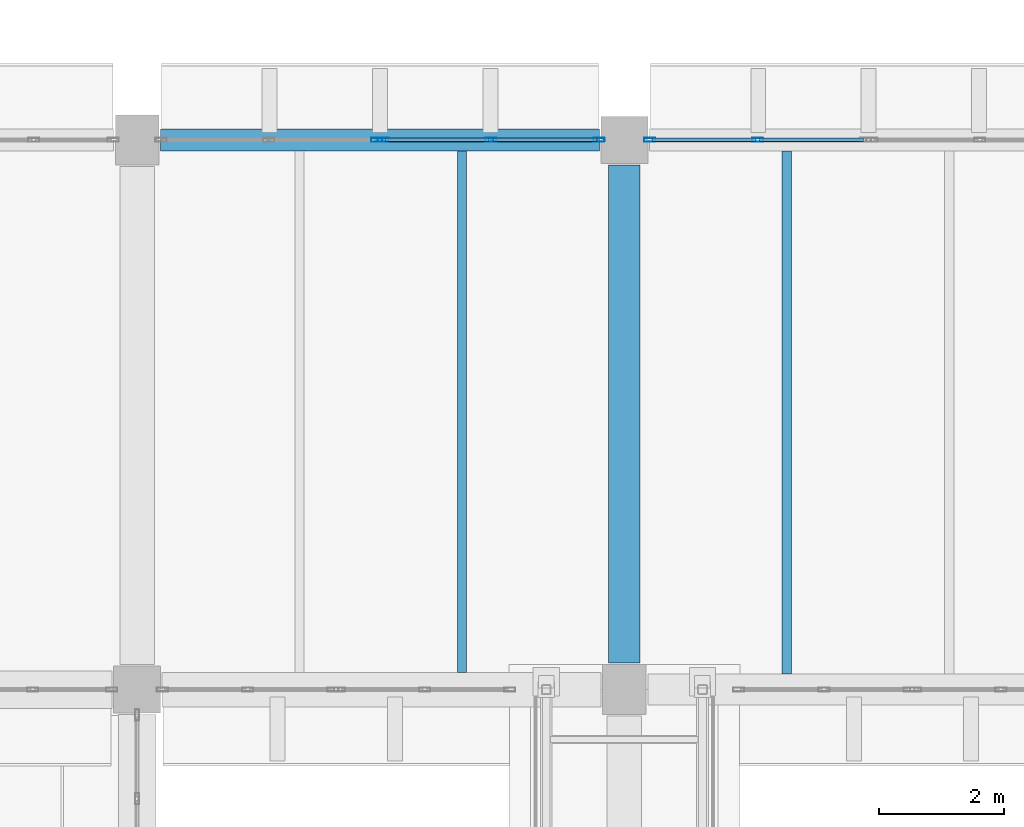
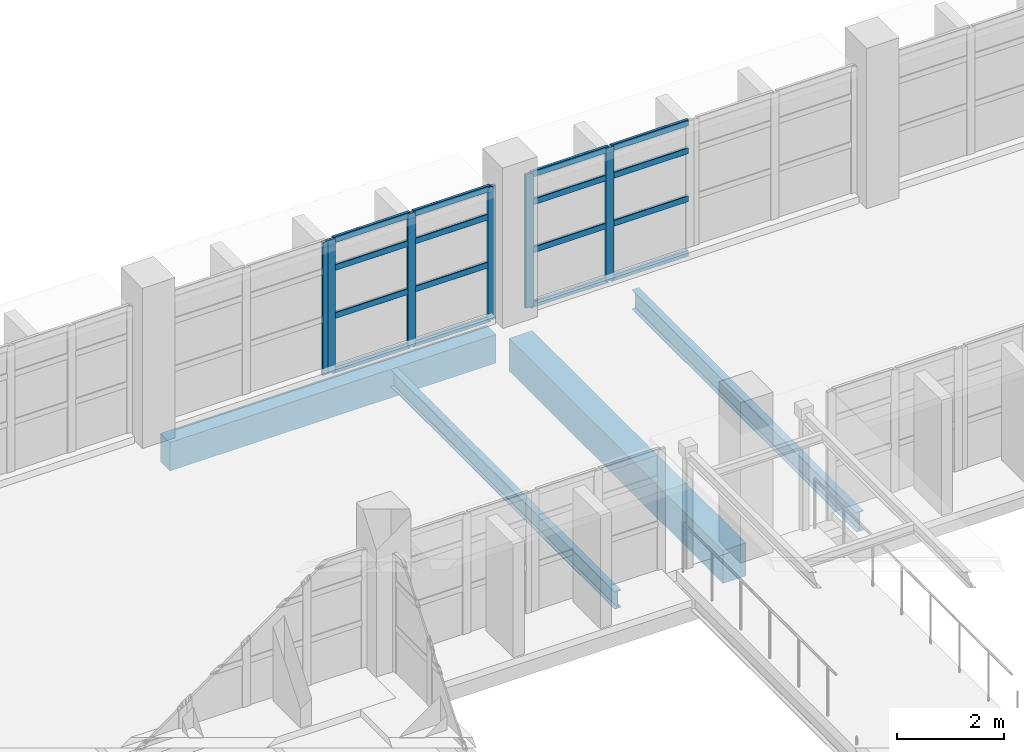
# One storey, part 26 of 80: 22 members, 4 beams, 3 elements without a shape of their own.
"""IFC4 building model written with IfcOpenShell, lengths in metres."""

from ifc_helpers import new_model, si_unit, direction, frame, origin, origin_2d, place, context, subcontext, project, spatial, rectangle, hollow_rectangle, i_section, extrude, material, material_profile, profile_set, type_object, element, aggregate, save


model = new_model("IFC4")

# Units and contexts
model_context = context("Model", 3, precision=1e-05, world=origin(), true_north=direction((0.0, 1.0)))
body_context = subcontext(model_context, "Body", "Model", "MODEL_VIEW")
ifc_project = project(units=[si_unit("LENGTHUNIT", "METRE"), si_unit("AREAUNIT", "SQUARE_METRE"), si_unit("VOLUMEUNIT", "CUBIC_METRE"), si_unit("PLANEANGLEUNIT", "RADIAN"), si_unit("MASSUNIT", "GRAM", prefix="KILO")], contexts=[model_context])

# Site, building, storey
site_placement = place(None, origin())
site = spatial("IfcSite", under=ifc_project, at=site_placement, CompositionType="ELEMENT")
building_placement = place(site_placement, origin())
building = spatial("IfcBuilding", under=site, at=building_placement, Name="Varnakota Cinema and Media Centre", CompositionType="ELEMENT")
storey_placement = place(building_placement, frame((0.0, 0.0, 4.5)))
storey = spatial("IfcBuildingStorey", under=building, at=storey_placement, Name="L01", CompositionType="ELEMENT", Elevation=4.5)

# Beams
ifc_material_1 = material(Name="Concrete M35", Category="concrete")
ifc_material_profile_1 = material_profile(ifc_material_1, rectangle(XDim=0.5, YDim=0.75, at=origin_2d()), Name="RCB 500x750")
ifc_profile_set_1 = profile_set([ifc_material_profile_1], Name="Concrete M35")
beam_type_1 = type_object("IfcBeamType", Name="BM-RC-500x750", PredefinedType="BEAM", material=ifc_profile_set_1)
beam_1_placement = place(storey_placement, frame((59.39990234375, 35.625, -0.625), z_axis=(0.0, 1.0, 0.0), x_axis=(-1.0, 0.0, 0.0)))
element("IfcBeam", 1, at=beam_1_placement, inside=storey, type_object=beam_type_1, Name="L01 girder H/5-6", PredefinedType="BEAM", context=body_context, shape_type="SweptSolid", body=[
    extrude(rectangle(XDim=0.5, YDim=0.75, at=origin_2d()), origin(), (0.0, 0.0, 1.0), 7.97509765625),
])
ifc_material_2 = material(Name="Concrete M40", Category="concrete")
ifc_material_profile_2 = material_profile(ifc_material_2, rectangle(XDim=0.35009765625, YDim=0.64990234375, at=origin_2d()), Name="RCB 350x650")
ifc_profile_set_2 = profile_set([ifc_material_profile_2], Name="Concrete M40")
beam_type_2 = type_object("IfcBeamType", Name="BM-SP-350x650", PredefinedType="SPANDREL", material=ifc_profile_set_2)
beam_2_placement = place(storey_placement, frame((51.97509765625, 44.0, -0.574951171875), z_axis=(1.0, 0.0, 0.0), x_axis=(0.0, 1.0, 0.0)))
element("IfcBeam", 2, at=beam_2_placement, inside=storey, type_object=beam_type_2, Name="L01 girder G-H/6", PredefinedType="SPANDREL", context=body_context, shape_type="SweptSolid", body=[
    extrude(rectangle(XDim=0.35009765625, YDim=0.64990234375, at=origin_2d()), origin(), (0.0, 0.0, 1.0), 7.02490234375),
])
ifc_material_3 = material(Name="Structural steel Grade 350 (E350)", Category="steel")
ifc_material_profile_3 = material_profile(ifc_material_3, i_section(OverallWidth=0.139892578125, OverallDepth=0.39990234375, WebThickness=0.0087890625, FlangeThickness=0.01611328125, FilletRadius=0.013916015625, at=origin_2d()), Name="ISMB 400")
ifc_profile_set_3 = profile_set([ifc_material_profile_3], Name="Structural steel Grade 350 (E350)")
beam_type_3 = type_object("IfcBeamType", Name="BM-ST-ISMB400", PredefinedType="JOIST", material=ifc_profile_set_3)
beam_3_placement = place(storey_placement, frame((56.800048828125, 35.47509765625, -0.449951171875), z_axis=(0.0, 1.0, 0.0), x_axis=(-1.0, 0.0, 0.0)))
element("IfcBeam", 3, at=beam_3_placement, inside=storey, type_object=beam_type_3, Name="L01 steel joist G-H/5-6 #2", PredefinedType="JOIST", context=body_context, shape_type="SweptSolid", body=[
    extrude(i_section(OverallWidth=0.139892578125, OverallDepth=0.39990234375, WebThickness=0.0087890625, FlangeThickness=0.01611328125, FilletRadius=0.013916015625, at=origin_2d()), origin(), (0.0, 0.0, 1.0), 8.349853515625),
])
ifc_material_4 = material(Name="Structural steel Grade 350 (E350)", Category="steel")
ifc_material_profile_4 = material_profile(ifc_material_4, i_section(OverallWidth=0.14990234375, OverallDepth=0.449951171875, WebThickness=0.009521484375, FlangeThickness=0.017333984375, FilletRadius=0.014892578125, at=origin_2d()), Name="ISMB 450")
ifc_profile_set_4 = profile_set([ifc_material_profile_4], Name="Structural steel Grade 350 (E350)")
beam_type_4 = type_object("IfcBeamType", Name="BM-ST-ISMB450", PredefinedType="BEAM", material=ifc_profile_set_4)
beam_4_placement = place(storey_placement, frame((62.0, 35.449951171875, -0.47509765625), z_axis=(0.0, 1.0, 0.0), x_axis=(-1.0, 0.0, 0.0)))
element("IfcBeam", 4, at=beam_4_placement, inside=storey, type_object=beam_type_4, Name="L01 steel joist H-J/5-6 #1", PredefinedType="BEAM", context=body_context, shape_type="SweptSolid", body=[
    extrude(i_section(OverallWidth=0.14990234375, OverallDepth=0.449951171875, WebThickness=0.009521484375, FlangeThickness=0.017333984375, FilletRadius=0.014892578125, at=origin_2d()), origin(), (0.0, 0.0, 1.0), 8.375),
])

# Curtain wall, member
ifc_material_5 = material(Name="Thermally broken anodised aluminium AW-6063", Category="aluminium")
curtain_wall_type = type_object("IfcCurtainWallType", Name="CW-STD-352x304", PredefinedType="USERDEFINED", material=ifc_material_5)
curtain_wall_1_placement = place(storey_placement, origin())
curtain_wall_1 = element("IfcCurtainWall", 5, at=curtain_wall_1_placement, inside=storey, type_object=curtain_wall_type, Name="L01 curtain wall CW-L01-LINK-N-02-1", ObjectType="UNITISED CURTAIN WALL", PredefinedType="USERDEFINED")
ifc_material_6 = material(Name="Thermally broken anodised aluminium AW-6063", Category="aluminium")
ifc_material_profile_5 = material_profile(ifc_material_6, hollow_rectangle(XDim=0.06494140625, YDim=0.179931640625, WallThickness=0.00390625, InnerFilletRadius=0.00390625, OuterFilletRadius=0.008056640625, at=origin_2d()), Name="AL-MULLION 180x65x4")
ifc_profile_set_5 = profile_set([ifc_material_profile_5], Name="Thermally broken anodised aluminium AW-6063")
member_type_1 = type_object("IfcMemberType", Name="CWM-AL-180", PredefinedType="MULLION", material=ifc_profile_set_5)
member_1_placement = place(storey_placement, frame((55.43505859375, 44.0, 0.0), z_axis=(0.0, 0.0, 1.0), x_axis=(0.0, 1.0, 0.0)))
member_1 = element("IfcMember", 6, at=member_1_placement, type_object=member_type_1, Name="CW19 mullion 3", PredefinedType="MULLION", context=body_context, shape_type="SweptSolid", body=[
    extrude(hollow_rectangle(XDim=0.06494140625, YDim=0.179931640625, WallThickness=0.00390625, InnerFilletRadius=0.00390625, OuterFilletRadius=0.008056640625, at=origin_2d()), origin(), (0.0, 0.0, 1.0), 3.034912109375),
])
aggregate(curtain_wall_1, [member_1])

# Curtain wall, members
curtain_wall_2_placement = place(storey_placement, origin())
curtain_wall_2 = element("IfcCurtainWall", 7, at=curtain_wall_2_placement, inside=storey, type_object=curtain_wall_type, Name="L01 curtain wall CW-L01-LINK-N-02-2", ObjectType="UNITISED CURTAIN WALL", PredefinedType="USERDEFINED")
member_2_placement = place(storey_placement, frame((55.5400390625, 44.0, 0.0), z_axis=(0.0, 0.0, 1.0), x_axis=(0.0, 1.0, 0.0)))
member_2 = element("IfcMember", 8, at=member_2_placement, type_object=member_type_1, Name="CW19 mullion 1", PredefinedType="MULLION", context=body_context, shape_type="SweptSolid", body=[
    extrude(hollow_rectangle(XDim=0.06494140625, YDim=0.179931640625, WallThickness=0.00390625, InnerFilletRadius=0.00390625, OuterFilletRadius=0.008056640625, at=origin_2d()), origin(), (0.0, 0.0, 1.0), 3.034912109375),
])
member_3_placement = place(storey_placement, frame((57.266357421875, 44.0, 0.0), z_axis=(0.0, 0.0, 1.0), x_axis=(0.0, 1.0, 0.0)))
member_3 = element("IfcMember", 9, at=member_3_placement, type_object=member_type_1, Name="CW19 mullion 2", PredefinedType="MULLION", context=body_context, shape_type="SweptSolid", body=[
    extrude(hollow_rectangle(XDim=0.06494140625, YDim=0.179931640625, WallThickness=0.00390625, InnerFilletRadius=0.00390625, OuterFilletRadius=0.008056640625, at=origin_2d()), origin(), (0.0, 0.0, 1.0), 3.034912109375),
])
member_4_placement = place(storey_placement, frame((58.992431640625, 44.0, 0.0), z_axis=(0.0, 0.0, 1.0), x_axis=(0.0, 1.0, 0.0)))
member_4 = element("IfcMember", 10, at=member_4_placement, type_object=member_type_1, Name="CW19 mullion 3", PredefinedType="MULLION", context=body_context, shape_type="SweptSolid", body=[
    extrude(hollow_rectangle(XDim=0.06494140625, YDim=0.179931640625, WallThickness=0.00390625, InnerFilletRadius=0.00390625, OuterFilletRadius=0.008056640625, at=origin_2d()), origin(), (0.0, 0.0, 1.0), 3.034912109375),
])

curtain_wall_3_placement = place(storey_placement, origin())
curtain_wall_3 = element("IfcCurtainWall", 11, at=curtain_wall_3_placement, inside=storey, type_object=curtain_wall_type, Name="L01 curtain wall CW-L01-LINK-N-03-1", ObjectType="UNITISED CURTAIN WALL", PredefinedType="USERDEFINED")
member_5_placement = place(storey_placement, frame((59.8076171875, 44.0, 0.0), z_axis=(0.0, 0.0, 1.0), x_axis=(0.0, 1.0, 0.0)))
member_5 = element("IfcMember", 12, at=member_5_placement, type_object=member_type_1, Name="CW19 mullion 1", PredefinedType="MULLION", context=body_context, shape_type="SweptSolid", body=[
    extrude(hollow_rectangle(XDim=0.06494140625, YDim=0.179931640625, WallThickness=0.00390625, InnerFilletRadius=0.00390625, OuterFilletRadius=0.008056640625, at=origin_2d()), origin(), (0.0, 0.0, 1.0), 3.034912109375),
])
member_6_placement = place(storey_placement, frame((61.53369140625, 44.0, 0.0), z_axis=(0.0, 0.0, 1.0), x_axis=(0.0, 1.0, 0.0)))
member_6 = element("IfcMember", 13, at=member_6_placement, type_object=member_type_1, Name="CW19 mullion 2", PredefinedType="MULLION", context=body_context, shape_type="SweptSolid", body=[
    extrude(hollow_rectangle(XDim=0.06494140625, YDim=0.179931640625, WallThickness=0.00390625, InnerFilletRadius=0.00390625, OuterFilletRadius=0.008056640625, at=origin_2d()), origin(), (0.0, 0.0, 1.0), 3.034912109375),
])

# Member
ifc_material_7 = material(Name="Thermally broken anodised aluminium AW-6063", Category="aluminium")
ifc_material_profile_6 = material_profile(ifc_material_7, hollow_rectangle(XDim=0.06494140625, YDim=0.139892578125, WallThickness=0.00390625, InnerFilletRadius=0.00390625, OuterFilletRadius=0.008056640625, at=origin_2d()), Name="AL-TRANSOM 140x65x4")
ifc_profile_set_6 = profile_set([ifc_material_profile_6], Name="Thermally broken anodised aluminium AW-6063")
member_type_2 = type_object("IfcMemberType", Name="CWT-AL-140", PredefinedType="USERDEFINED", material=ifc_profile_set_6)
member_7_placement = place(storey_placement, frame((55.572509765625, 44.0, 0.032470703125), z_axis=(1.0, 0.0, 0.0), x_axis=(0.0, 1.0, 0.0)))
member_7 = element("IfcMember", 14, at=member_7_placement, type_object=member_type_2, Name="CW19 transom 1.1", ObjectType="TRANSOM", PredefinedType="USERDEFINED", context=body_context, shape_type="SweptSolid", body=[
    extrude(hollow_rectangle(XDim=0.06494140625, YDim=0.139892578125, WallThickness=0.00390625, InnerFilletRadius=0.00390625, OuterFilletRadius=0.008056640625, at=origin_2d()), origin(), (0.0, 0.0, 1.0), 1.6611328125),
])

member_8_placement = place(storey_placement, frame((55.572509765625, 44.0, 1.274658203125), z_axis=(1.0, 0.0, 0.0), x_axis=(0.0, 1.0, 0.0)))
member_8 = element("IfcMember", 15, at=member_8_placement, type_object=member_type_2, Name="CW19 transom 1.2", ObjectType="TRANSOM", PredefinedType="USERDEFINED", context=body_context, shape_type="SweptSolid", body=[
    extrude(hollow_rectangle(XDim=0.06494140625, YDim=0.139892578125, WallThickness=0.00390625, InnerFilletRadius=0.00390625, OuterFilletRadius=0.008056640625, at=origin_2d()), origin(), (0.0, 0.0, 1.0), 1.6611328125),
])

member_9_placement = place(storey_placement, frame((55.572509765625, 44.0, 2.3671875), z_axis=(1.0, 0.0, 0.0), x_axis=(0.0, 1.0, 0.0)))
member_9 = element("IfcMember", 16, at=member_9_placement, type_object=member_type_2, Name="CW19 transom 1.3", ObjectType="TRANSOM", PredefinedType="USERDEFINED", context=body_context, shape_type="SweptSolid", body=[
    extrude(hollow_rectangle(XDim=0.06494140625, YDim=0.139892578125, WallThickness=0.00390625, InnerFilletRadius=0.00390625, OuterFilletRadius=0.008056640625, at=origin_2d()), origin(), (0.0, 0.0, 1.0), 1.6611328125),
])

member_10_placement = place(storey_placement, frame((55.572509765625, 44.0, 3.00244140625), z_axis=(1.0, 0.0, 0.0), x_axis=(0.0, 1.0, 0.0)))
member_10 = element("IfcMember", 17, at=member_10_placement, type_object=member_type_2, Name="CW19 transom 1.4", ObjectType="TRANSOM", PredefinedType="USERDEFINED", context=body_context, shape_type="SweptSolid", body=[
    extrude(hollow_rectangle(XDim=0.06494140625, YDim=0.139892578125, WallThickness=0.00390625, InnerFilletRadius=0.00390625, OuterFilletRadius=0.008056640625, at=origin_2d()), origin(), (0.0, 0.0, 1.0), 1.6611328125),
])

member_11_placement = place(storey_placement, frame((57.298828125, 44.0, 0.032470703125), z_axis=(1.0, 0.0, 0.0), x_axis=(0.0, 1.0, 0.0)))
member_11 = element("IfcMember", 18, at=member_11_placement, type_object=member_type_2, Name="CW19 transom 2.1", ObjectType="TRANSOM", PredefinedType="USERDEFINED", context=body_context, shape_type="SweptSolid", body=[
    extrude(hollow_rectangle(XDim=0.06494140625, YDim=0.139892578125, WallThickness=0.00390625, InnerFilletRadius=0.00390625, OuterFilletRadius=0.008056640625, at=origin_2d()), origin(), (0.0, 0.0, 1.0), 1.6611328125),
])

member_12_placement = place(storey_placement, frame((57.298828125, 44.0, 1.274658203125), z_axis=(1.0, 0.0, 0.0), x_axis=(0.0, 1.0, 0.0)))
member_12 = element("IfcMember", 19, at=member_12_placement, type_object=member_type_2, Name="CW19 transom 2.2", ObjectType="TRANSOM", PredefinedType="USERDEFINED", context=body_context, shape_type="SweptSolid", body=[
    extrude(hollow_rectangle(XDim=0.06494140625, YDim=0.139892578125, WallThickness=0.00390625, InnerFilletRadius=0.00390625, OuterFilletRadius=0.008056640625, at=origin_2d()), origin(), (0.0, 0.0, 1.0), 1.6611328125),
])

member_13_placement = place(storey_placement, frame((57.298828125, 44.0, 2.3671875), z_axis=(1.0, 0.0, 0.0), x_axis=(0.0, 1.0, 0.0)))
member_13 = element("IfcMember", 20, at=member_13_placement, type_object=member_type_2, Name="CW19 transom 2.3", ObjectType="TRANSOM", PredefinedType="USERDEFINED", context=body_context, shape_type="SweptSolid", body=[
    extrude(hollow_rectangle(XDim=0.06494140625, YDim=0.139892578125, WallThickness=0.00390625, InnerFilletRadius=0.00390625, OuterFilletRadius=0.008056640625, at=origin_2d()), origin(), (0.0, 0.0, 1.0), 1.6611328125),
])

member_14_placement = place(storey_placement, frame((57.298828125, 44.0, 3.00244140625), z_axis=(1.0, 0.0, 0.0), x_axis=(0.0, 1.0, 0.0)))
member_14 = element("IfcMember", 21, at=member_14_placement, type_object=member_type_2, Name="CW19 transom 2.4", ObjectType="TRANSOM", PredefinedType="USERDEFINED", context=body_context, shape_type="SweptSolid", body=[
    extrude(hollow_rectangle(XDim=0.06494140625, YDim=0.139892578125, WallThickness=0.00390625, InnerFilletRadius=0.00390625, OuterFilletRadius=0.008056640625, at=origin_2d()), origin(), (0.0, 0.0, 1.0), 1.6611328125),
])

aggregate(curtain_wall_2, [member_2, member_3, member_4, member_7, member_8, member_9, member_10, member_11, member_12, member_13, member_14])

member_15_placement = place(storey_placement, frame((59.840087890625, 44.0, 0.032470703125), z_axis=(1.0, 0.0, 0.0), x_axis=(0.0, 1.0, 0.0)))
member_15 = element("IfcMember", 22, at=member_15_placement, type_object=member_type_2, Name="CW19 transom 1.1", ObjectType="TRANSOM", PredefinedType="USERDEFINED", context=body_context, shape_type="SweptSolid", body=[
    extrude(hollow_rectangle(XDim=0.06494140625, YDim=0.139892578125, WallThickness=0.00390625, InnerFilletRadius=0.00390625, OuterFilletRadius=0.008056640625, at=origin_2d()), origin(), (0.0, 0.0, 1.0), 1.6611328125),
])

member_16_placement = place(storey_placement, frame((59.840087890625, 44.0, 1.274658203125), z_axis=(1.0, 0.0, 0.0), x_axis=(0.0, 1.0, 0.0)))
member_16 = element("IfcMember", 23, at=member_16_placement, type_object=member_type_2, Name="CW19 transom 1.2", ObjectType="TRANSOM", PredefinedType="USERDEFINED", context=body_context, shape_type="SweptSolid", body=[
    extrude(hollow_rectangle(XDim=0.06494140625, YDim=0.139892578125, WallThickness=0.00390625, InnerFilletRadius=0.00390625, OuterFilletRadius=0.008056640625, at=origin_2d()), origin(), (0.0, 0.0, 1.0), 1.6611328125),
])

member_17_placement = place(storey_placement, frame((59.840087890625, 44.0, 2.3671875), z_axis=(1.0, 0.0, 0.0), x_axis=(0.0, 1.0, 0.0)))
member_17 = element("IfcMember", 24, at=member_17_placement, type_object=member_type_2, Name="CW19 transom 1.3", ObjectType="TRANSOM", PredefinedType="USERDEFINED", context=body_context, shape_type="SweptSolid", body=[
    extrude(hollow_rectangle(XDim=0.06494140625, YDim=0.139892578125, WallThickness=0.00390625, InnerFilletRadius=0.00390625, OuterFilletRadius=0.008056640625, at=origin_2d()), origin(), (0.0, 0.0, 1.0), 1.6611328125),
])

member_18_placement = place(storey_placement, frame((59.840087890625, 44.0, 3.00244140625), z_axis=(1.0, 0.0, 0.0), x_axis=(0.0, 1.0, 0.0)))
member_18 = element("IfcMember", 25, at=member_18_placement, type_object=member_type_2, Name="CW19 transom 1.4", ObjectType="TRANSOM", PredefinedType="USERDEFINED", context=body_context, shape_type="SweptSolid", body=[
    extrude(hollow_rectangle(XDim=0.06494140625, YDim=0.139892578125, WallThickness=0.00390625, InnerFilletRadius=0.00390625, OuterFilletRadius=0.008056640625, at=origin_2d()), origin(), (0.0, 0.0, 1.0), 1.6611328125),
])

member_19_placement = place(storey_placement, frame((61.566162109375, 44.0, 0.032470703125), z_axis=(1.0, 0.0, 0.0), x_axis=(0.0, 1.0, 0.0)))
member_19 = element("IfcMember", 26, at=member_19_placement, type_object=member_type_2, Name="CW19 transom 2.1", ObjectType="TRANSOM", PredefinedType="USERDEFINED", context=body_context, shape_type="SweptSolid", body=[
    extrude(hollow_rectangle(XDim=0.06494140625, YDim=0.139892578125, WallThickness=0.00390625, InnerFilletRadius=0.00390625, OuterFilletRadius=0.008056640625, at=origin_2d()), origin(), (0.0, 0.0, 1.0), 1.661376953125),
])

member_20_placement = place(storey_placement, frame((61.566162109375, 44.0, 1.274658203125), z_axis=(1.0, 0.0, 0.0), x_axis=(0.0, 1.0, 0.0)))
member_20 = element("IfcMember", 27, at=member_20_placement, type_object=member_type_2, Name="CW19 transom 2.2", ObjectType="TRANSOM", PredefinedType="USERDEFINED", context=body_context, shape_type="SweptSolid", body=[
    extrude(hollow_rectangle(XDim=0.06494140625, YDim=0.139892578125, WallThickness=0.00390625, InnerFilletRadius=0.00390625, OuterFilletRadius=0.008056640625, at=origin_2d()), origin(), (0.0, 0.0, 1.0), 1.661376953125),
])

member_21_placement = place(storey_placement, frame((61.566162109375, 44.0, 2.3671875), z_axis=(1.0, 0.0, 0.0), x_axis=(0.0, 1.0, 0.0)))
member_21 = element("IfcMember", 28, at=member_21_placement, type_object=member_type_2, Name="CW19 transom 2.3", ObjectType="TRANSOM", PredefinedType="USERDEFINED", context=body_context, shape_type="SweptSolid", body=[
    extrude(hollow_rectangle(XDim=0.06494140625, YDim=0.139892578125, WallThickness=0.00390625, InnerFilletRadius=0.00390625, OuterFilletRadius=0.008056640625, at=origin_2d()), origin(), (0.0, 0.0, 1.0), 1.661376953125),
])

member_22_placement = place(storey_placement, frame((61.566162109375, 44.0, 3.00244140625), z_axis=(1.0, 0.0, 0.0), x_axis=(0.0, 1.0, 0.0)))
member_22 = element("IfcMember", 29, at=member_22_placement, type_object=member_type_2, Name="CW19 transom 2.4", ObjectType="TRANSOM", PredefinedType="USERDEFINED", context=body_context, shape_type="SweptSolid", body=[
    extrude(hollow_rectangle(XDim=0.06494140625, YDim=0.139892578125, WallThickness=0.00390625, InnerFilletRadius=0.00390625, OuterFilletRadius=0.008056640625, at=origin_2d()), origin(), (0.0, 0.0, 1.0), 1.661376953125),
])

aggregate(curtain_wall_3, [member_5, member_6, member_15, member_16, member_17, member_18, member_19, member_20, member_21, member_22])

save(model, "model.ifc")
